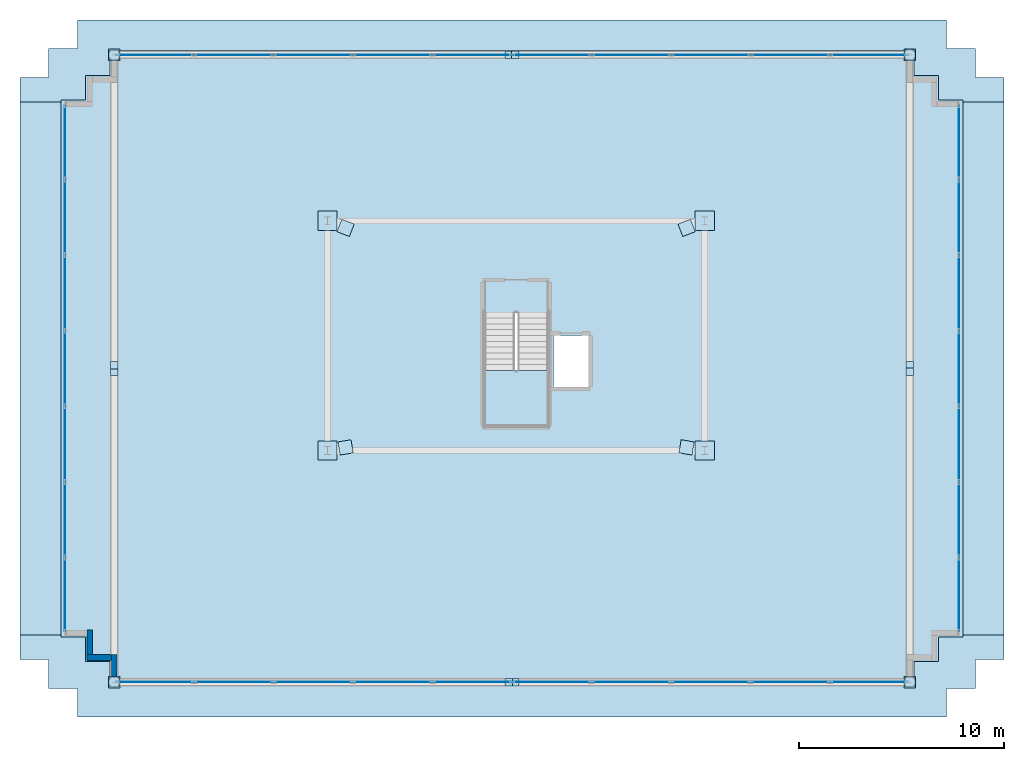
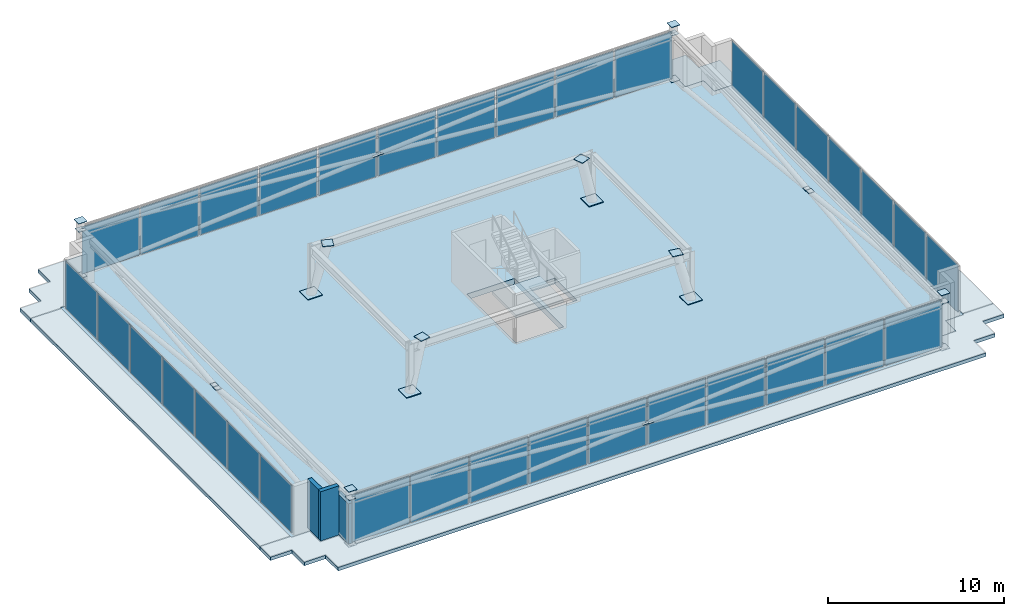
# One storey, part 19 of 23: 62 plates, 6 slabs, 3 walls, 5 elements without a shape of their own.
"""IFC4 building model written with IfcOpenShell, lengths in metres."""

from ifc_helpers import new_model, si_unit, direction, frame, frame_2d, origin, origin_2d, place, context, subcontext, project, spatial, polyline, rectangle, outline, extrude, material, layer, layer_set, type_object, element, aggregate, save


model = new_model("IFC4")

# Units and contexts
model_context = context("Model", 3, precision=1e-05, world=origin(), true_north=direction((0.0, 1.0)))
body_context = subcontext(model_context, "Body", "Model", "MODEL_VIEW")
ifc_project = project(units=[si_unit("LENGTHUNIT", "METRE"), si_unit("AREAUNIT", "SQUARE_METRE"), si_unit("VOLUMEUNIT", "CUBIC_METRE"), si_unit("PLANEANGLEUNIT", "RADIAN"), si_unit("MASSUNIT", "GRAM", prefix="KILO")], contexts=[model_context])

# Site, building, storey
site_placement = place(None, origin())
site = spatial("IfcSite", under=ifc_project, at=site_placement, CompositionType="ELEMENT")
building_placement = place(site_placement, origin())
building = spatial("IfcBuilding", under=site, at=building_placement, Name="Qobustan Lattice House", CompositionType="ELEMENT")
storey_placement = place(building_placement, frame((0.0, 0.0, 270.199951171875)))
storey = spatial("IfcBuildingStorey", under=building, at=storey_placement, Name="L76", CompositionType="ELEMENT", Elevation=270.199951171875)

# Curtain wall, plates
ifc_material_1 = material(Name="Anodised aluminium and low-E glazing", Category="aluminium")
ifc_layer_1 = layer(ifc_material_1, 0.219970703125)
ifc_layer_set_1 = layer_set([ifc_layer_1], Name="Anodised aluminium and low-E glazing")
curtain_wall_type = type_object("IfcCurtainWallType", Name="CW-CRN-01", PredefinedType="USERDEFINED", material=ifc_layer_set_1)
curtain_wall_1_placement = place(storey_placement, origin())
curtain_wall_1 = element("IfcCurtainWall", 1, at=curtain_wall_1_placement, inside=storey, type_object=curtain_wall_type, Name="L76 glass-point crown faceted curtain wall 5", ObjectType="CURTAIN WALL", PredefinedType="USERDEFINED")
ifc_material_2 = material(Name="Warm frit stone-toned laminated glass", Category="masonry")
ifc_layer_2 = layer(ifc_material_2, 0.035888671875)
ifc_layer_set_2 = layer_set([ifc_layer_2], Name="Warm frit stone-toned laminated glass")
plate_type_1 = type_object("IfcPlateType", Name="CWP-CROWN-36", PredefinedType="CURTAIN_PANEL", material=ifc_layer_set_2)
plate_1_placement = place(storey_placement, frame((-22.0, -12.634521484375, 0.06494140625), z_axis=(0.0, 0.0, 1.0), x_axis=(0.0, 1.0, 0.0)))
plate_1 = element("IfcPlate", 2, at=plate_1_placement, type_object=plate_type_1, Name="CW-CR panel 1.1", PredefinedType="CURTAIN_PANEL", context=body_context, shape_type="SweptSolid", body=[
    extrude(rectangle(XDim=3.55078125, YDim=0.031982421875, at=origin_2d()), origin(), (0.0, 0.0, 1.0), 3.27001953125),
])
plate_2_placement = place(storey_placement, frame((-22.0, -8.971435546875, 0.06494140625), z_axis=(0.0, 0.0, 1.0), x_axis=(0.0, 1.0, 0.0)))
plate_2 = element("IfcPlate", 3, at=plate_2_placement, type_object=plate_type_1, Name="CW-CR panel 2.1", PredefinedType="CURTAIN_PANEL", context=body_context, shape_type="SweptSolid", body=[
    extrude(rectangle(XDim=3.595703125, YDim=0.031982421875, at=origin_2d()), origin(), (0.0, 0.0, 1.0), 3.27001953125),
])
plate_3_placement = place(storey_placement, frame((-22.0, -5.28564453125, 0.06494140625), z_axis=(0.0, 0.0, 1.0), x_axis=(0.0, 1.0, 0.0)))
plate_3 = element("IfcPlate", 4, at=plate_3_placement, type_object=plate_type_1, Name="CW-CR panel 3.1", PredefinedType="CURTAIN_PANEL", context=body_context, shape_type="SweptSolid", body=[
    extrude(rectangle(XDim=3.595703125, YDim=0.031982421875, at=origin_2d()), origin(), (0.0, 0.0, 1.0), 3.27001953125),
])
plate_4_placement = place(storey_placement, frame((-22.0, -1.60009765625, 0.06494140625), z_axis=(0.0, 0.0, 1.0), x_axis=(0.0, 1.0, 0.0)))
plate_4 = element("IfcPlate", 5, at=plate_4_placement, type_object=plate_type_1, Name="CW-CR panel 4.1", PredefinedType="CURTAIN_PANEL", context=body_context, shape_type="SweptSolid", body=[
    extrude(rectangle(XDim=3.595703125, YDim=0.031982421875, at=origin_2d()), origin(), (0.0, 0.0, 1.0), 3.27001953125),
])
plate_5_placement = place(storey_placement, frame((-22.0, 2.085693359375, 0.06494140625), z_axis=(0.0, 0.0, 1.0), x_axis=(0.0, 1.0, 0.0)))
plate_5 = element("IfcPlate", 6, at=plate_5_placement, type_object=plate_type_1, Name="CW-CR panel 5.1", PredefinedType="CURTAIN_PANEL", context=body_context, shape_type="SweptSolid", body=[
    extrude(rectangle(XDim=3.595703125, YDim=0.031982421875, at=origin_2d()), origin(), (0.0, 0.0, 1.0), 3.27001953125),
])
plate_6_placement = place(storey_placement, frame((-22.0, 5.771484375, 0.06494140625), z_axis=(0.0, 0.0, 1.0), x_axis=(0.0, 1.0, 0.0)))
plate_6 = element("IfcPlate", 7, at=plate_6_placement, type_object=plate_type_1, Name="CW-CR panel 6.1", PredefinedType="CURTAIN_PANEL", context=body_context, shape_type="SweptSolid", body=[
    extrude(rectangle(XDim=3.595703125, YDim=0.031982421875, at=origin_2d()), origin(), (0.0, 0.0, 1.0), 3.27001953125),
])
plate_7_placement = place(storey_placement, frame((-22.0, 9.4345703125, 0.06494140625), z_axis=(0.0, 0.0, 1.0), x_axis=(0.0, 1.0, 0.0)))
plate_7 = element("IfcPlate", 8, at=plate_7_placement, type_object=plate_type_1, Name="CW-CR panel 7.1", PredefinedType="CURTAIN_PANEL", context=body_context, shape_type="SweptSolid", body=[
    extrude(rectangle(XDim=3.55078125, YDim=0.031982421875, at=origin_2d()), origin(), (0.0, 0.0, 1.0), 3.27001953125),
])
aggregate(curtain_wall_1, [plate_1, plate_2, plate_3, plate_4, plate_5, plate_6, plate_7])

curtain_wall_2_placement = place(storey_placement, origin())
curtain_wall_2 = element("IfcCurtainWall", 9, at=curtain_wall_2_placement, inside=storey, type_object=curtain_wall_type, Name="L76 glass-point crown faceted curtain wall 10", ObjectType="CURTAIN WALL", PredefinedType="USERDEFINED")
plate_8_placement = place(storey_placement, frame((-17.637451171875, 13.699951171875, 0.06494140625), z_axis=(0.0, 0.0, 1.0), x_axis=(1.0, 0.0, 0.0)))
plate_8 = element("IfcPlate", 10, at=plate_8_placement, type_object=plate_type_1, Name="CW-CR panel 1.1", PredefinedType="CURTAIN_PANEL", context=body_context, shape_type="SweptSolid", body=[
    extrude(rectangle(XDim=3.7451171875, YDim=0.031982421875, at=origin_2d()), origin(), (0.0, 0.0, 1.0), 3.27001953125),
])
plate_9_placement = place(storey_placement, frame((-13.780029296875, 13.699951171875, 0.06494140625), z_axis=(0.0, 0.0, 1.0), x_axis=(1.0, 0.0, 0.0)))
plate_9 = element("IfcPlate", 11, at=plate_9_placement, type_object=plate_type_1, Name="CW-CR panel 2.1", PredefinedType="CURTAIN_PANEL", context=body_context, shape_type="SweptSolid", body=[
    extrude(rectangle(XDim=3.7900390625, YDim=0.031982421875, at=origin_2d()), origin(), (0.0, 0.0, 1.0), 3.27001953125),
])
plate_10_placement = place(storey_placement, frame((-9.89990234375, 13.699951171875, 0.06494140625), z_axis=(0.0, 0.0, 1.0), x_axis=(1.0, 0.0, 0.0)))
plate_10 = element("IfcPlate", 12, at=plate_10_placement, type_object=plate_type_1, Name="CW-CR panel 3.1", PredefinedType="CURTAIN_PANEL", context=body_context, shape_type="SweptSolid", body=[
    extrude(rectangle(XDim=3.7900390625, YDim=0.031982421875, at=origin_2d()), origin(), (0.0, 0.0, 1.0), 3.27001953125),
])
plate_11_placement = place(storey_placement, frame((-6.02001953125, 13.699951171875, 0.06494140625), z_axis=(0.0, 0.0, 1.0), x_axis=(1.0, 0.0, 0.0)))
plate_11 = element("IfcPlate", 13, at=plate_11_placement, type_object=plate_type_1, Name="CW-CR panel 4.1", PredefinedType="CURTAIN_PANEL", context=body_context, shape_type="SweptSolid", body=[
    extrude(rectangle(XDim=3.7900390625, YDim=0.031982421875, at=origin_2d()), origin(), (0.0, 0.0, 1.0), 3.27001953125),
])
plate_12_placement = place(storey_placement, frame((-2.139892578125, 13.699951171875, 0.06494140625), z_axis=(0.0, 0.0, 1.0), x_axis=(1.0, 0.0, 0.0)))
plate_12 = element("IfcPlate", 14, at=plate_12_placement, type_object=plate_type_1, Name="CW-CR panel 5.1", PredefinedType="CURTAIN_PANEL", context=body_context, shape_type="SweptSolid", body=[
    extrude(rectangle(XDim=3.7900390625, YDim=0.031982421875, at=origin_2d()), origin(), (0.0, 0.0, 1.0), 3.27001953125),
])
plate_13_placement = place(storey_placement, frame((1.739990234375, 13.699951171875, 0.06494140625), z_axis=(0.0, 0.0, 1.0), x_axis=(1.0, 0.0, 0.0)))
plate_13 = element("IfcPlate", 15, at=plate_13_placement, type_object=plate_type_1, Name="CW-CR panel 6.1", PredefinedType="CURTAIN_PANEL", context=body_context, shape_type="SweptSolid", body=[
    extrude(rectangle(XDim=3.7900390625, YDim=0.031982421875, at=origin_2d()), origin(), (0.0, 0.0, 1.0), 3.27001953125),
])
plate_14_placement = place(storey_placement, frame((5.6201171875, 13.699951171875, 0.06494140625), z_axis=(0.0, 0.0, 1.0), x_axis=(1.0, 0.0, 0.0)))
plate_14 = element("IfcPlate", 16, at=plate_14_placement, type_object=plate_type_1, Name="CW-CR panel 7.1", PredefinedType="CURTAIN_PANEL", context=body_context, shape_type="SweptSolid", body=[
    extrude(rectangle(XDim=3.7900390625, YDim=0.031982421875, at=origin_2d()), origin(), (0.0, 0.0, 1.0), 3.27001953125),
])
plate_15_placement = place(storey_placement, frame((9.5, 13.699951171875, 0.06494140625), z_axis=(0.0, 0.0, 1.0), x_axis=(1.0, 0.0, 0.0)))
plate_15 = element("IfcPlate", 17, at=plate_15_placement, type_object=plate_type_1, Name="CW-CR panel 8.1", PredefinedType="CURTAIN_PANEL", context=body_context, shape_type="SweptSolid", body=[
    extrude(rectangle(XDim=3.7900390625, YDim=0.031982421875, at=origin_2d()), origin(), (0.0, 0.0, 1.0), 3.27001953125),
])
plate_16_placement = place(storey_placement, frame((13.3798828125, 13.699951171875, 0.06494140625), z_axis=(0.0, 0.0, 1.0), x_axis=(1.0, 0.0, 0.0)))
plate_16 = element("IfcPlate", 18, at=plate_16_placement, type_object=plate_type_1, Name="CW-CR panel 9.1", PredefinedType="CURTAIN_PANEL", context=body_context, shape_type="SweptSolid", body=[
    extrude(rectangle(XDim=3.7900390625, YDim=0.031982421875, at=origin_2d()), origin(), (0.0, 0.0, 1.0), 3.27001953125),
])
plate_17_placement = place(storey_placement, frame((17.237548828125, 13.699951171875, 0.06494140625), z_axis=(0.0, 0.0, 1.0), x_axis=(1.0, 0.0, 0.0)))
plate_17 = element("IfcPlate", 19, at=plate_17_placement, type_object=plate_type_1, Name="CW-CR panel 10.1", PredefinedType="CURTAIN_PANEL", context=body_context, shape_type="SweptSolid", body=[
    extrude(rectangle(XDim=3.7451171875, YDim=0.031982421875, at=origin_2d()), origin(), (0.0, 0.0, 1.0), 3.27001953125),
])
aggregate(curtain_wall_2, [plate_8, plate_9, plate_10, plate_11, plate_12, plate_13, plate_14, plate_15, plate_16, plate_17])

curtain_wall_3_placement = place(storey_placement, origin())
curtain_wall_3 = element("IfcCurtainWall", 20, at=curtain_wall_3_placement, inside=storey, type_object=curtain_wall_type, Name="L76 glass-point crown faceted curtain wall 15", ObjectType="CURTAIN WALL", PredefinedType="USERDEFINED")
plate_18_placement = place(storey_placement, frame((21.60009765625, 9.4345703125, 0.06494140625), z_axis=(0.0, 0.0, 1.0), x_axis=(0.0, -1.0, 0.0)))
plate_18 = element("IfcPlate", 21, at=plate_18_placement, type_object=plate_type_1, Name="CW-CR panel 1.1", PredefinedType="CURTAIN_PANEL", context=body_context, shape_type="SweptSolid", body=[
    extrude(rectangle(XDim=3.55078125, YDim=0.031982421875, at=origin_2d()), origin(), (0.0, 0.0, 1.0), 3.27001953125),
])
plate_19_placement = place(storey_placement, frame((21.60009765625, 5.771484375, 0.06494140625), z_axis=(0.0, 0.0, 1.0), x_axis=(0.0, -1.0, 0.0)))
plate_19 = element("IfcPlate", 22, at=plate_19_placement, type_object=plate_type_1, Name="CW-CR panel 2.1", PredefinedType="CURTAIN_PANEL", context=body_context, shape_type="SweptSolid", body=[
    extrude(rectangle(XDim=3.595703125, YDim=0.031982421875, at=origin_2d()), origin(), (0.0, 0.0, 1.0), 3.27001953125),
])
plate_20_placement = place(storey_placement, frame((21.60009765625, 2.085693359375, 0.06494140625), z_axis=(0.0, 0.0, 1.0), x_axis=(0.0, -1.0, 0.0)))
plate_20 = element("IfcPlate", 23, at=plate_20_placement, type_object=plate_type_1, Name="CW-CR panel 3.1", PredefinedType="CURTAIN_PANEL", context=body_context, shape_type="SweptSolid", body=[
    extrude(rectangle(XDim=3.595703125, YDim=0.031982421875, at=origin_2d()), origin(), (0.0, 0.0, 1.0), 3.27001953125),
])
plate_21_placement = place(storey_placement, frame((21.60009765625, -1.60009765625, 0.06494140625), z_axis=(0.0, 0.0, 1.0), x_axis=(0.0, -1.0, 0.0)))
plate_21 = element("IfcPlate", 24, at=plate_21_placement, type_object=plate_type_1, Name="CW-CR panel 4.1", PredefinedType="CURTAIN_PANEL", context=body_context, shape_type="SweptSolid", body=[
    extrude(rectangle(XDim=3.595703125, YDim=0.031982421875, at=origin_2d()), origin(), (0.0, 0.0, 1.0), 3.27001953125),
])
plate_22_placement = place(storey_placement, frame((21.60009765625, -5.28564453125, 0.06494140625), z_axis=(0.0, 0.0, 1.0), x_axis=(0.0, -1.0, 0.0)))
plate_22 = element("IfcPlate", 25, at=plate_22_placement, type_object=plate_type_1, Name="CW-CR panel 5.1", PredefinedType="CURTAIN_PANEL", context=body_context, shape_type="SweptSolid", body=[
    extrude(rectangle(XDim=3.595703125, YDim=0.031982421875, at=origin_2d()), origin(), (0.0, 0.0, 1.0), 3.27001953125),
])
plate_23_placement = place(storey_placement, frame((21.60009765625, -8.971435546875, 0.06494140625), z_axis=(0.0, 0.0, 1.0), x_axis=(0.0, -1.0, 0.0)))
plate_23 = element("IfcPlate", 26, at=plate_23_placement, type_object=plate_type_1, Name="CW-CR panel 6.1", PredefinedType="CURTAIN_PANEL", context=body_context, shape_type="SweptSolid", body=[
    extrude(rectangle(XDim=3.595703125, YDim=0.031982421875, at=origin_2d()), origin(), (0.0, 0.0, 1.0), 3.27001953125),
])
plate_24_placement = place(storey_placement, frame((21.60009765625, -12.634521484375, 0.06494140625), z_axis=(0.0, 0.0, 1.0), x_axis=(0.0, -1.0, 0.0)))
plate_24 = element("IfcPlate", 27, at=plate_24_placement, type_object=plate_type_1, Name="CW-CR panel 7.1", PredefinedType="CURTAIN_PANEL", context=body_context, shape_type="SweptSolid", body=[
    extrude(rectangle(XDim=3.55078125, YDim=0.031982421875, at=origin_2d()), origin(), (0.0, 0.0, 1.0), 3.27001953125),
])
aggregate(curtain_wall_3, [plate_18, plate_19, plate_20, plate_21, plate_22, plate_23, plate_24])

curtain_wall_4_placement = place(storey_placement, origin())
curtain_wall_4 = element("IfcCurtainWall", 28, at=curtain_wall_4_placement, inside=storey, type_object=curtain_wall_type, Name="L76 glass-point crown faceted curtain wall 20", ObjectType="CURTAIN WALL", PredefinedType="USERDEFINED")
plate_25_placement = place(storey_placement, frame((17.237548828125, -16.89990234375, 0.06494140625), z_axis=(0.0, 0.0, 1.0), x_axis=(-1.0, 0.0, 0.0)))
plate_25 = element("IfcPlate", 29, at=plate_25_placement, type_object=plate_type_1, Name="CW-CR panel 1.1", PredefinedType="CURTAIN_PANEL", context=body_context, shape_type="SweptSolid", body=[
    extrude(rectangle(XDim=3.7451171875, YDim=0.031982421875, at=origin_2d()), origin(), (0.0, 0.0, 1.0), 3.27001953125),
])
plate_26_placement = place(storey_placement, frame((13.3798828125, -16.89990234375, 0.06494140625), z_axis=(0.0, 0.0, 1.0), x_axis=(-1.0, 0.0, 0.0)))
plate_26 = element("IfcPlate", 30, at=plate_26_placement, type_object=plate_type_1, Name="CW-CR panel 2.1", PredefinedType="CURTAIN_PANEL", context=body_context, shape_type="SweptSolid", body=[
    extrude(rectangle(XDim=3.7900390625, YDim=0.031982421875, at=origin_2d()), origin(), (0.0, 0.0, 1.0), 3.27001953125),
])
plate_27_placement = place(storey_placement, frame((9.5, -16.89990234375, 0.06494140625), z_axis=(0.0, 0.0, 1.0), x_axis=(-1.0, 0.0, 0.0)))
plate_27 = element("IfcPlate", 31, at=plate_27_placement, type_object=plate_type_1, Name="CW-CR panel 3.1", PredefinedType="CURTAIN_PANEL", context=body_context, shape_type="SweptSolid", body=[
    extrude(rectangle(XDim=3.7900390625, YDim=0.031982421875, at=origin_2d()), origin(), (0.0, 0.0, 1.0), 3.27001953125),
])
plate_28_placement = place(storey_placement, frame((5.6201171875, -16.89990234375, 0.06494140625), z_axis=(0.0, 0.0, 1.0), x_axis=(-1.0, 0.0, 0.0)))
plate_28 = element("IfcPlate", 32, at=plate_28_placement, type_object=plate_type_1, Name="CW-CR panel 4.1", PredefinedType="CURTAIN_PANEL", context=body_context, shape_type="SweptSolid", body=[
    extrude(rectangle(XDim=3.7900390625, YDim=0.031982421875, at=origin_2d()), origin(), (0.0, 0.0, 1.0), 3.27001953125),
])
plate_29_placement = place(storey_placement, frame((1.739990234375, -16.89990234375, 0.06494140625), z_axis=(0.0, 0.0, 1.0), x_axis=(-1.0, 0.0, 0.0)))
plate_29 = element("IfcPlate", 33, at=plate_29_placement, type_object=plate_type_1, Name="CW-CR panel 5.1", PredefinedType="CURTAIN_PANEL", context=body_context, shape_type="SweptSolid", body=[
    extrude(rectangle(XDim=3.7900390625, YDim=0.031982421875, at=origin_2d()), origin(), (0.0, 0.0, 1.0), 3.27001953125),
])
plate_30_placement = place(storey_placement, frame((-2.139892578125, -16.89990234375, 0.06494140625), z_axis=(0.0, 0.0, 1.0), x_axis=(-1.0, 0.0, 0.0)))
plate_30 = element("IfcPlate", 34, at=plate_30_placement, type_object=plate_type_1, Name="CW-CR panel 6.1", PredefinedType="CURTAIN_PANEL", context=body_context, shape_type="SweptSolid", body=[
    extrude(rectangle(XDim=3.7900390625, YDim=0.031982421875, at=origin_2d()), origin(), (0.0, 0.0, 1.0), 3.27001953125),
])
plate_31_placement = place(storey_placement, frame((-6.02001953125, -16.89990234375, 0.06494140625), z_axis=(0.0, 0.0, 1.0), x_axis=(-1.0, 0.0, 0.0)))
plate_31 = element("IfcPlate", 35, at=plate_31_placement, type_object=plate_type_1, Name="CW-CR panel 7.1", PredefinedType="CURTAIN_PANEL", context=body_context, shape_type="SweptSolid", body=[
    extrude(rectangle(XDim=3.7900390625, YDim=0.031982421875, at=origin_2d()), origin(), (0.0, 0.0, 1.0), 3.27001953125),
])
plate_32_placement = place(storey_placement, frame((-9.89990234375, -16.89990234375, 0.06494140625), z_axis=(0.0, 0.0, 1.0), x_axis=(-1.0, 0.0, 0.0)))
plate_32 = element("IfcPlate", 36, at=plate_32_placement, type_object=plate_type_1, Name="CW-CR panel 8.1", PredefinedType="CURTAIN_PANEL", context=body_context, shape_type="SweptSolid", body=[
    extrude(rectangle(XDim=3.7900390625, YDim=0.031982421875, at=origin_2d()), origin(), (0.0, 0.0, 1.0), 3.27001953125),
])
plate_33_placement = place(storey_placement, frame((-13.780029296875, -16.89990234375, 0.06494140625), z_axis=(0.0, 0.0, 1.0), x_axis=(-1.0, 0.0, 0.0)))
plate_33 = element("IfcPlate", 37, at=plate_33_placement, type_object=plate_type_1, Name="CW-CR panel 9.1", PredefinedType="CURTAIN_PANEL", context=body_context, shape_type="SweptSolid", body=[
    extrude(rectangle(XDim=3.7900390625, YDim=0.031982421875, at=origin_2d()), origin(), (0.0, 0.0, 1.0), 3.27001953125),
])
plate_34_placement = place(storey_placement, frame((-17.637451171875, -16.89990234375, 0.06494140625), z_axis=(0.0, 0.0, 1.0), x_axis=(-1.0, 0.0, 0.0)))
plate_34 = element("IfcPlate", 38, at=plate_34_placement, type_object=plate_type_1, Name="CW-CR panel 10.1", PredefinedType="CURTAIN_PANEL", context=body_context, shape_type="SweptSolid", body=[
    extrude(rectangle(XDim=3.7451171875, YDim=0.031982421875, at=origin_2d()), origin(), (0.0, 0.0, 1.0), 3.27001953125),
])
aggregate(curtain_wall_4, [plate_25, plate_26, plate_27, plate_28, plate_29, plate_30, plate_31, plate_32, plate_33, plate_34])

# Plates
ifc_material_3 = material(Name="Steel S355", Category="steel")
ifc_layer_3 = layer(ifc_material_3, 0.050048828125)
ifc_layer_set_3 = layer_set([ifc_layer_3], Name="Steel S355")
plate_type_2 = type_object("IfcPlateType", Name="PLT-BASE-50", PredefinedType="SHEET", material=ifc_layer_set_3)
for number, where, z_axis, x_axis, name in (
    (39, (-9.199951171875, -5.60009765625, 0.0), (0.0, 0.0, 1.0), (1.0, 0.0, 0.0), "Crown spire leg SL1 steel base plate on core column"),
    (40, (9.199951171875, -5.60009765625, 0.0), (0.0, 0.0, 1.0), (1.0, 0.0, 0.0), "Crown spire leg SL2 steel base plate on core column"),
    (41, (9.199951171875, 5.60009765625, 0.0), (0.0, 0.0, 1.0), (1.0, 0.0, 0.0), "Crown spire leg SL3 steel base plate on core column"),
    (42, (-9.199951171875, 5.60009765625, 0.0), (0.0, 0.0, 1.0), (1.0, 0.0, 0.0), "Crown spire leg SL4 steel base plate on core column"),
):
    element("IfcPlate", number, at=place(storey_placement, frame(where, z_axis=z_axis, x_axis=x_axis)), inside=storey, type_object=plate_type_2, Name=name, PredefinedType="SHEET", context=body_context, shape_type="SweptSolid", body=[
        extrude(rectangle(XDim=0.949951171875, YDim=0.949951171875, at=origin_2d()), origin(), (0.0, 0.0, 1.0), 0.050048828125),
    ])
ifc_material_4 = material(Name="Steel S355", Category="steel")
ifc_layer_4 = layer(ifc_material_4, 0.030029296875)
ifc_layer_set_4 = layer_set([ifc_layer_4], Name="Steel S355")
plate_type_3 = type_object("IfcPlateType", Name="PLT-CAP-25", PredefinedType="SHEET", material=ifc_layer_set_4)
for number, where, z_axis, x_axis, name in (
    (43, (-8.317138671875, -5.44873046875, 3.3896484375), (0.0, 0.0, 1.0), (0.985623960897, 0.168953862656, 0.0), "L76 crown spire leg SL1 end cap plate 2"),
    (44, (8.317138671875, -5.44873046875, 3.3896484375), (0.0, 0.0, 1.0), (-0.985623960897, 0.168953862656, 0.0), "L76 crown spire leg SL2 end cap plate 2"),
    (45, (8.3173828125, 5.259521484375, 3.3896484375), (0.0, 0.0, 1.0), (-0.933003790768, -0.359866539724, 0.0), "L76 crown spire leg SL3 end cap plate 2"),
    (46, (-8.3173828125, 5.259521484375, 3.3896484375), (0.0, 0.0, 1.0), (0.933003790768, -0.359866539724, 0.0), "L76 crown spire leg SL4 end cap plate 2"),
):
    element("IfcPlate", number, at=place(storey_placement, frame(where, z_axis=z_axis, x_axis=x_axis)), inside=storey, type_object=plate_type_3, Name=name, PredefinedType="SHEET", context=body_context, shape_type="SweptSolid", body=[
        extrude(rectangle(XDim=0.64990234375, YDim=0.64990234375, at=origin_2d()), origin(), (0.0, 0.0, 1.0), 0.030029296875),
    ])
for number, where, z_axis, x_axis, name in (
    (47, (-19.60009765625, -16.89990234375, -0.02001953125), (0.0, 0.0, 1.0), (1.0, 0.0, 0.0), "L76 crown corner raking strut 1 end cap plate 1"),
    (48, (-19.60009765625, -16.89990234375, 3.7900390625), (0.0, 0.0, 1.0), (1.0, 0.0, 0.0), "L76 crown corner raking strut 1 end cap plate 2"),
    (49, (19.199951171875, -16.89990234375, -0.02001953125), (0.0, 0.0, 1.0), (1.0, 0.0, 0.0), "L76 crown corner raking strut 2 end cap plate 1"),
    (50, (19.199951171875, -16.89990234375, 3.7900390625), (0.0, 0.0, 1.0), (1.0, 0.0, 0.0), "L76 crown corner raking strut 2 end cap plate 2"),
    (51, (19.199951171875, 13.699951171875, -0.02001953125), (0.0, 0.0, 1.0), (1.0, 0.0, 0.0), "L76 crown corner raking strut 3 end cap plate 1"),
    (52, (19.199951171875, 13.699951171875, 3.7900390625), (0.0, 0.0, 1.0), (1.0, 0.0, 0.0), "L76 crown corner raking strut 3 end cap plate 2"),
    (53, (-19.60009765625, 13.699951171875, -0.02001953125), (0.0, 0.0, 1.0), (1.0, 0.0, 0.0), "L76 crown corner raking strut 4 end cap plate 1"),
    (54, (-19.60009765625, 13.699951171875, 3.7900390625), (0.0, 0.0, 1.0), (1.0, 0.0, 0.0), "L76 crown corner raking strut 4 end cap plate 2"),
):
    element("IfcPlate", number, at=place(storey_placement, frame(where, z_axis=z_axis, x_axis=x_axis)), inside=storey, type_object=plate_type_3, Name=name, PredefinedType="SHEET", context=body_context, shape_type="SweptSolid", body=[
        extrude(rectangle(XDim=0.548095703125, YDim=0.548095703125, at=origin_2d()), origin(), (0.0, 0.0, 1.0), 0.030029296875),
    ])
for number, where, z_axis, x_axis, name in (
    (55, (-19.60498046875, -16.89990234375, 3.1650390625), (0.0, 0.0, 1.0), (1.0, 0.0, 0.0), "L76 crown ring chord 1 end cap plate 1"),
    (56, (19.205078125, -16.89990234375, 3.1650390625), (0.0, 0.0, 1.0), (1.0, 0.0, 0.0), "L76 crown ring chord 1 end cap plate 2"),
):
    element("IfcPlate", number, at=place(storey_placement, frame(where, z_axis=z_axis, x_axis=x_axis)), inside=storey, type_object=plate_type_3, Name=name, PredefinedType="SHEET", context=body_context, shape_type="SweptSolid", body=[
        extrude(rectangle(XDim=0.4462890625, YDim=0.4462890625, at=origin_2d()), origin(), (0.0, 0.0, 1.0), 0.030029296875),
    ])
for number, where, z_axis, x_axis, name in (
    (57, (-0.03759765625, -16.89990234375, 1.5693359375), (0.0, 0.0, 1.0), (-1.0, 0.0, 0.0), "L76 crown diagrid split brace 1B lower end cap plate 2"),
    (58, (-0.3623046875, -16.89990234375, 1.595703125), (0.0, 0.0, 1.0), (-1.0, 0.0, 0.0), "L76 crown diagrid split brace 1B upper end cap plate 1"),
):
    element("IfcPlate", number, at=place(storey_placement, frame(where, z_axis=z_axis, x_axis=x_axis)), inside=storey, type_object=plate_type_3, Name=name, PredefinedType="SHEET", context=body_context, shape_type="SweptSolid", body=[
        extrude(rectangle(XDim=0.364013671875, YDim=0.364013671875, at=origin_2d()), origin(), (0.0, 0.0, 1.0), 0.030029296875),
    ])
plate_35_placement = place(storey_placement, frame((19.199951171875, 13.705078125, 3.1650390625), z_axis=(0.0, 0.0, 1.0), x_axis=(0.0, 1.0, 0.0)))
element("IfcPlate", 59, at=plate_35_placement, inside=storey, type_object=plate_type_3, Name="L76 crown ring chord 2 end cap plate 2", PredefinedType="SHEET", context=body_context, shape_type="SweptSolid", body=[
    extrude(rectangle(XDim=0.4462890625, YDim=0.4462890625, at=origin_2d()), origin(), (0.0, 0.0, 1.0), 0.030029296875),
])
for number, where, z_axis, x_axis, name in (
    (60, (19.199951171875, -1.43798828125, 1.56591796875), (0.0, 0.0, 1.0), (0.0, -1.0, 0.0), "L76 crown diagrid split brace 2B lower end cap plate 2"),
    (61, (19.199951171875, -1.76220703125, 1.59912109375), (0.0, 0.0, 1.0), (0.0, -1.0, 0.0), "L76 crown diagrid split brace 2B upper end cap plate 1"),
):
    element("IfcPlate", number, at=place(storey_placement, frame(where, z_axis=z_axis, x_axis=x_axis)), inside=storey, type_object=plate_type_3, Name=name, PredefinedType="SHEET", context=body_context, shape_type="SweptSolid", body=[
        extrude(rectangle(XDim=0.364013671875, YDim=0.364013671875, at=origin_2d()), origin(), (0.0, 0.0, 1.0), 0.030029296875),
    ])
plate_36_placement = place(storey_placement, frame((-19.60498046875, 13.699951171875, 3.1650390625), z_axis=(0.0, 0.0, 1.0), x_axis=(-1.0, 0.0, 0.0)))
element("IfcPlate", 62, at=plate_36_placement, inside=storey, type_object=plate_type_3, Name="L76 crown ring chord 3 end cap plate 2", PredefinedType="SHEET", context=body_context, shape_type="SweptSolid", body=[
    extrude(rectangle(XDim=0.4462890625, YDim=0.4462890625, at=origin_2d()), origin(), (0.0, 0.0, 1.0), 0.030029296875),
])
for number, where, z_axis, x_axis, name in (
    (63, (-0.3623046875, 13.699951171875, 1.5693359375), (0.0, 0.0, 1.0), (1.0, 0.0, 0.0), "L76 crown diagrid split brace 3B lower end cap plate 2"),
    (64, (-0.03759765625, 13.699951171875, 1.595703125), (0.0, 0.0, 1.0), (1.0, 0.0, 0.0), "L76 crown diagrid split brace 3B upper end cap plate 1"),
    (65, (-19.60009765625, -1.76220703125, 1.56591796875), (0.0, 0.0, 1.0), (0.0, 1.0, 0.0), "L76 crown diagrid split brace 4B lower end cap plate 2"),
    (66, (-19.60009765625, -1.43798828125, 1.59912109375), (0.0, 0.0, 1.0), (0.0, 1.0, 0.0), "L76 crown diagrid split brace 4B upper end cap plate 1"),
):
    element("IfcPlate", number, at=place(storey_placement, frame(where, z_axis=z_axis, x_axis=x_axis)), inside=storey, type_object=plate_type_3, Name=name, PredefinedType="SHEET", context=body_context, shape_type="SweptSolid", body=[
        extrude(rectangle(XDim=0.364013671875, YDim=0.364013671875, at=origin_2d()), origin(), (0.0, 0.0, 1.0), 0.030029296875),
    ])

# Stair, slab
ifc_material_5 = material(Name="Concrete C40/50", Category="concrete")
stair_type = type_object("IfcStairType", Name="STR-CORE-DOGLEG", PredefinedType="HALF_TURN_STAIR", material=ifc_material_5)
stair_placement = place(storey_placement, origin())
stair = element("IfcStair", 67, at=stair_placement, inside=storey, type_object=stair_type, Name="L76 Crown access stair ST-C1", PredefinedType="HALF_TURN_STAIR")
ifc_material_6 = material(Name="Concrete C40/50", Category="concrete")
ifc_layer_5 = layer(ifc_material_6, 0.199951171875)
ifc_layer_set_5 = layer_set([ifc_layer_5], Name="Concrete C40/50")
slab_type_1 = type_object("IfcSlabType", Name="SLB-LANDING-200", PredefinedType="LANDING", material=ifc_layer_set_5)
slab_1_placement = place(storey_placement, frame((0.0, 0.0, 1.699951171875)))
slab_1 = element("IfcSlab", 68, at=slab_1_placement, type_object=slab_type_1, Name="ST-C1 landing 1", PredefinedType="LANDING", context=body_context, shape_type="SweptSolid", body=[
    extrude(outline(polyline([(-1.56005859375, -1.699951171875), (-1.56005859375, -4.39990234375), (1.56005859375, -4.39990234375), (1.56005859375, -1.699951171875), (-1.56005859375, -1.699951171875)])), origin(), (0.0, 0.0, 1.0), 0.2001953125),
])
aggregate(stair, [slab_1])

# Slabs
ifc_material_7 = material(Name="Concrete C50/60", Category="concrete")
ifc_layer_6 = layer(ifc_material_7, 0.39990234375)
ifc_layer_set_6 = layer_set([ifc_layer_6], Name="Concrete C50/60")
slab_type_2 = type_object("IfcSlabType", Name="SLB-PLANT-DECK-400", PredefinedType="USERDEFINED", material=ifc_layer_set_6)
slab_2_placement = place(storey_placement, frame((0.0, 0.0, -0.39990234375)))
element("IfcSlab", 69, at=slab_2_placement, inside=storey, type_object=slab_type_2, Name="L76 crown mechanical plant deck", ObjectType="PLANT DECK", PredefinedType="USERDEFINED", context=body_context, shape_type="SweptSolid", body=[
    extrude(outline(polyline([(-19.800048828125, -17.10009765625), (19.39990234375, -17.10009765625), (19.39990234375, -15.89990234375), (20.60009765625, -15.89990234375), (20.60009765625, -14.699951171875), (21.800048828125, -14.699951171875), (21.800048828125, 11.5), (20.60009765625, 11.5), (20.60009765625, 12.699951171875), (19.39990234375, 12.699951171875), (19.39990234375, 13.89990234375), (-19.800048828125, 13.89990234375), (-19.800048828125, 12.699951171875), (-21.0, 12.699951171875), (-21.0, 11.5), (-22.199951171875, 11.5), (-22.199951171875, -14.699951171875), (-21.0, -14.699951171875), (-21.0, -15.89990234375), (-19.800048828125, -15.89990234375), (-19.800048828125, -17.10009765625)]), holes=[polyline([(-1.56005859375, -4.39990234375), (-1.56005859375, 1.139892578125), (1.56005859375, 1.139892578125), (1.56005859375, -4.39990234375), (-1.56005859375, -4.39990234375)]), polyline([(1.820068359375, -2.5), (1.820068359375, 0.02001953125), (3.5400390625, 0.02001953125), (3.5400390625, -2.5), (1.820068359375, -2.5)])]), origin(), (0.0, 0.0, 1.0), 0.39990234375),
])
ifc_material_8 = material(Name="Concrete C40/50", Category="concrete")
ifc_layer_7 = layer(ifc_material_8, 0.239990234375)
ifc_layer_set_7 = layer_set([ifc_layer_7], Name="Concrete C40/50")
slab_type_3 = type_object("IfcSlabType", Name="SLB-ROOF-240", PredefinedType="ROOF", material=ifc_layer_set_7)
slab_3_placement = place(storey_placement, frame((0.0, 0.0, -0.239990234375)))
element("IfcSlab", 70, at=slab_3_placement, inside=storey, type_object=slab_type_3, Name="L76 crown step-in roof slab S1", PredefinedType="ROOF", context=body_context, shape_type="SweptSolid", body=[
    extrude(outline(polyline([(-21.39990234375, -17.199951171875), (-21.39990234375, -18.60009765625), (21.0, -18.60009765625), (21.0, -17.199951171875), (22.39990234375, -17.199951171875), (22.39990234375, -15.800048828125), (23.800048828125, -15.800048828125), (23.800048828125, -14.60009765625), (21.800048828125, -14.60009765625), (21.800048828125, -14.699951171875), (20.60009765625, -14.699951171875), (20.60009765625, -15.89990234375), (19.39990234375, -15.89990234375), (19.39990234375, -17.10009765625), (-19.800048828125, -17.10009765625), (-19.800048828125, -15.89990234375), (-21.0, -15.89990234375), (-21.0, -14.699951171875), (-22.199951171875, -14.699951171875), (-22.199951171875, -14.60009765625), (-24.199951171875, -14.60009765625), (-24.199951171875, -15.800048828125), (-22.800048828125, -15.800048828125), (-22.800048828125, -17.199951171875), (-21.39990234375, -17.199951171875)])), origin(), (0.0, 0.0, 1.0), 0.239990234375),
])
slab_4_placement = place(storey_placement, frame((0.0, 0.0, -0.239990234375)))
element("IfcSlab", 71, at=slab_4_placement, inside=storey, type_object=slab_type_3, Name="L76 crown step-in roof slab N1", PredefinedType="ROOF", context=body_context, shape_type="SweptSolid", body=[
    extrude(outline(polyline([(-24.199951171875, 11.39990234375), (-22.199951171875, 11.39990234375), (-22.199951171875, 11.5), (-21.0, 11.5), (-21.0, 12.699951171875), (-19.800048828125, 12.699951171875), (-19.800048828125, 13.89990234375), (19.39990234375, 13.89990234375), (19.39990234375, 12.699951171875), (20.60009765625, 12.699951171875), (20.60009765625, 11.5), (21.800048828125, 11.5), (21.800048828125, 11.39990234375), (23.800048828125, 11.39990234375), (23.800048828125, 12.60009765625), (22.39990234375, 12.60009765625), (22.39990234375, 14.0), (21.0, 14.0), (21.0, 15.39990234375), (-21.39990234375, 15.39990234375), (-21.39990234375, 14.0), (-22.800048828125, 14.0), (-22.800048828125, 12.60009765625), (-24.199951171875, 12.60009765625), (-24.199951171875, 11.39990234375)])), origin(), (0.0, 0.0, 1.0), 0.239990234375),
])
slab_5_placement = place(storey_placement, frame((0.0, 0.0, -0.239990234375)))
element("IfcSlab", 72, at=slab_5_placement, inside=storey, type_object=slab_type_3, Name="L76 crown step-in roof slab W1", PredefinedType="ROOF", context=body_context, shape_type="SweptSolid", body=[
    extrude(outline(polyline([(-24.199951171875, -14.60009765625), (-22.199951171875, -14.60009765625), (-22.199951171875, 11.39990234375), (-24.199951171875, 11.39990234375), (-24.199951171875, -14.60009765625)])), origin(), (0.0, 0.0, 1.0), 0.239990234375),
])
slab_6_placement = place(storey_placement, frame((0.0, 0.0, -0.239990234375)))
element("IfcSlab", 73, at=slab_6_placement, inside=storey, type_object=slab_type_3, Name="L76 crown step-in roof slab E1", PredefinedType="ROOF", context=body_context, shape_type="SweptSolid", body=[
    extrude(outline(polyline([(23.800048828125, 11.39990234375), (21.800048828125, 11.39990234375), (21.800048828125, -14.60009765625), (23.800048828125, -14.60009765625), (23.800048828125, 11.39990234375)])), origin(), (0.0, 0.0, 1.0), 0.239990234375),
])

# Walls
ifc_material_9 = material(Name="Precast concrete C40/50", Category="concrete")
ifc_layer_8 = layer(ifc_material_9, 0.280029296875)
ifc_layer_set_8 = layer_set([ifc_layer_8], Name="Precast concrete C40/50")
wall_type = type_object("IfcWallType", Name="WAL-EXT-CROWN-280", PredefinedType="SOLIDWALL", material=ifc_layer_set_8)
wall_placement = place(storey_placement, frame((-19.60009765625, -16.89990234375, 0.0), z_axis=(0.0, 0.0, 1.0), x_axis=(0.0, 1.0, 0.0)))
element("IfcWall", 74, at=wall_placement, inside=storey, type_object=wall_type, Name="L76 crown faceted limestone wall 1", PredefinedType="SOLIDWALL", context=body_context, shape_type="SweptSolid", body=[
    extrude(rectangle(XDim=1.33984375, YDim=0.280029296875, at=frame_2d((0.669921875, 0.0))), origin(), (0.0, 0.0, 1.0), 2.78515625),
])
for number, where, z_axis, x_axis, name in (
    (75, (-19.72802734375, -15.699951171875, 0.0), (0.0, 0.0, 1.0), (-1.0, 0.0, 0.0), "L76 crown faceted limestone wall 2"),
    (76, (-20.800048828125, -15.572021484375, 0.0), (0.0, 0.0, 1.0), (0.0, 1.0, 0.0), "L76 crown faceted limestone wall 3"),
):
    element("IfcWall", number, at=place(storey_placement, frame(where, z_axis=z_axis, x_axis=x_axis)), inside=storey, type_object=wall_type, Name=name, PredefinedType="SOLIDWALL", context=body_context, shape_type="SweptSolid", body=[
        extrude(rectangle(XDim=1.2119140625, YDim=0.280029296875, at=frame_2d((0.60595703125, 0.0))), origin(), (0.0, 0.0, 1.0), 3.400146484375),
    ])

save(model, "model.ifc")
